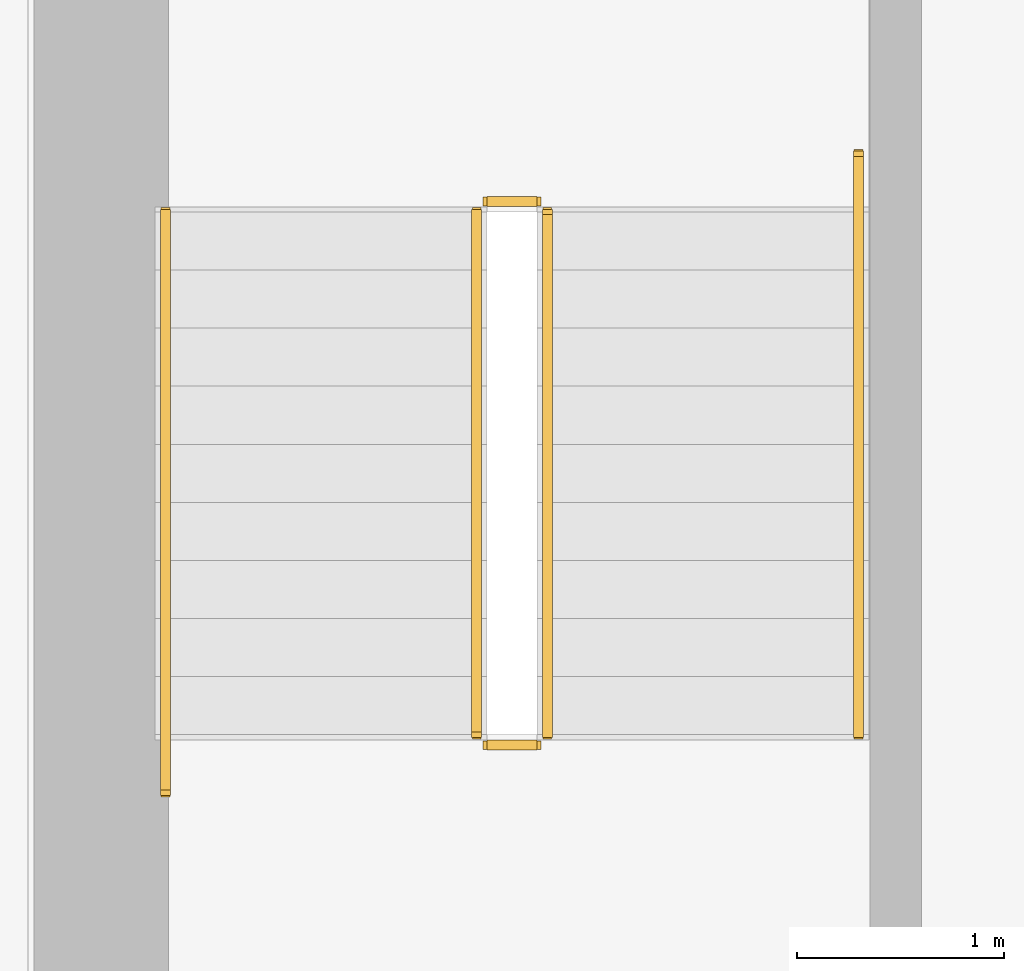
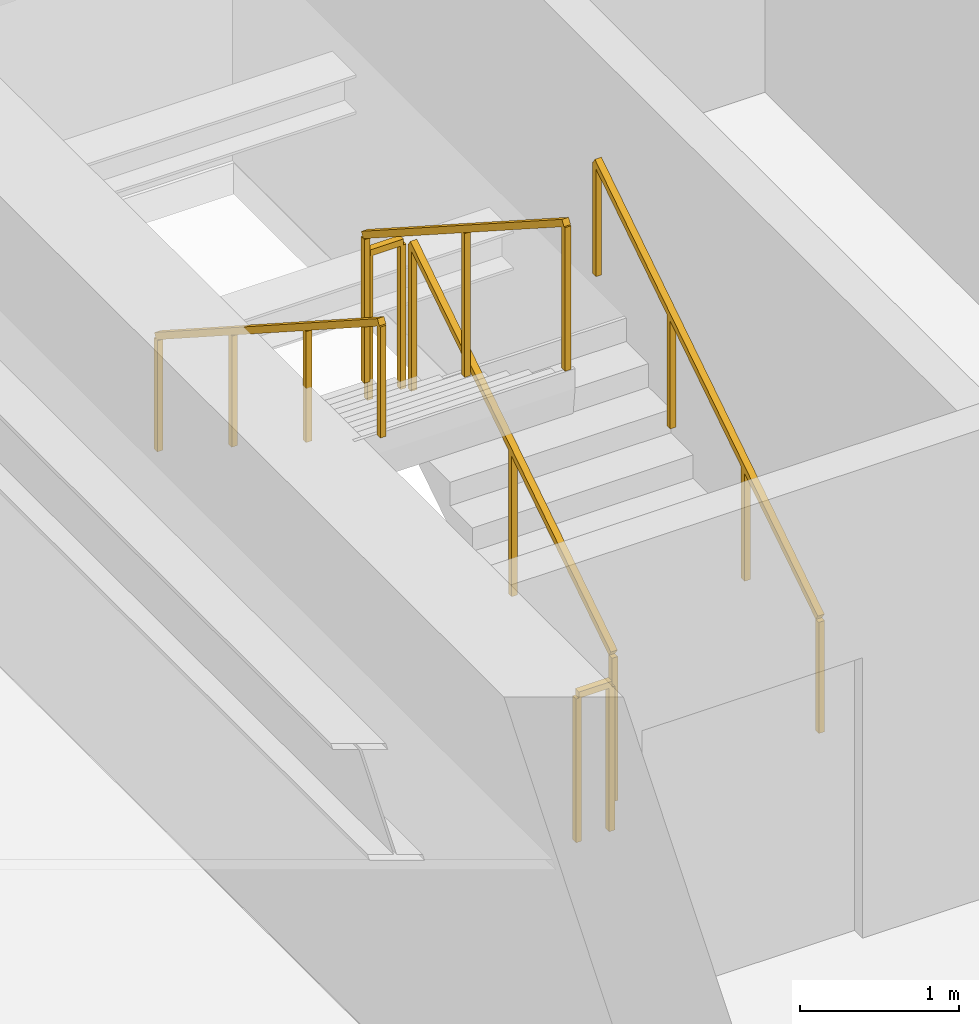
# One storey, part 34 of 37: 6 railings.
"""IFC4 building model written with IfcOpenShell, lengths in metres."""

from ifc_helpers import new_model, si_unit, direction, frame, origin, origin_2d, place, context, subcontext, project, spatial, rectangle, extrude, material, type_object, element, save


model = new_model("IFC4")

# Units and contexts
model_context = context("Model", 3, precision=1e-05, world=origin(), true_north=direction((0.0, 1.0)))
body_context = subcontext(model_context, "Body", "Model", "MODEL_VIEW")
ifc_project = project(units=[si_unit("LENGTHUNIT", "METRE"), si_unit("AREAUNIT", "SQUARE_METRE"), si_unit("VOLUMEUNIT", "CUBIC_METRE"), si_unit("PLANEANGLEUNIT", "RADIAN"), si_unit("MASSUNIT", "GRAM", prefix="KILO")], contexts=[model_context])

# Site, building, storey
site_placement = place(None, origin())
site = spatial("IfcSite", under=ifc_project, at=site_placement, CompositionType="ELEMENT")
building_placement = place(site_placement, origin())
building = spatial("IfcBuilding", under=site, at=building_placement, Name="Sumidabori Civic Tower", CompositionType="ELEMENT")
storey_placement = place(building_placement, frame((0.0, 0.0, 81.199951171875)))
storey = spatial("IfcBuildingStorey", under=building, at=storey_placement, Name="L20", CompositionType="ELEMENT", Elevation=81.199951171875)

# Railings
ifc_material_1 = material(Name="Stainless Steel Hairline Finish", Category="steel")
railing_type_1 = type_object("IfcRailingType", Name="RL-HANDRAIL", PredefinedType="HANDRAIL", material=ifc_material_1)
railing_1_placement = place(storey_placement, frame((-11.949951171875, 16.0, 0.179931640625)))
element("IfcRailing", 1, at=railing_1_placement, inside=storey, type_object=railing_type_1, Name="L20 ST-1 stair handrail 1", PredefinedType="HANDRAIL", context=body_context, shape_type="SweptSolid", body=[
    extrude(rectangle(XDim=0.048095703125, YDim=0.048095703125, at=origin_2d()), frame((0.0, 0.0, 0.8759765625), z_axis=(0.0, 0.84064222762, 0.54159084662), x_axis=(-1.0, 0.0, 0.0)), (0.0, 0.0, 1.0), 3.330810546875),
    extrude(rectangle(XDim=0.0419921875, YDim=0.0419921875, at=origin_2d()), origin(), (0.0, 0.0, 1.0), 0.851806640625),
    extrude(rectangle(XDim=0.0419921875, YDim=0.0419921875, at=origin_2d()), frame((0.0, 0.933349609375, 0.601318359375)), (0.0, 0.0, 1.0), 0.851806640625),
    extrude(rectangle(XDim=0.0419921875, YDim=0.0419921875, at=origin_2d()), frame((0.0, 1.86669921875, 1.20263671875)), (0.0, 0.0, 1.0), 0.851806640625),
    extrude(rectangle(XDim=0.0419921875, YDim=0.0419921875, at=origin_2d()), frame((0.0, 2.800048828125, 1.803955078125)), (0.0, 0.0, 1.0), 0.851806640625),
])
railing_2_placement = place(storey_placement, frame((-15.2900390625, 18.52001953125, 1.97998046875)))
element("IfcRailing", 2, at=railing_2_placement, inside=storey, type_object=railing_type_1, Name="L20 ST-1 stair handrail 2", PredefinedType="HANDRAIL", context=body_context, shape_type="SweptSolid", body=[
    extrude(rectangle(XDim=0.048095703125, YDim=0.048095703125, at=origin_2d()), frame((0.0, 0.0, 0.8759765625), z_axis=(0.0, -0.84064222762, 0.54159084662), x_axis=(1.0, 0.0, 0.0)), (0.0, 0.0, 1.0), 3.330810546875),
    extrude(rectangle(XDim=0.0419921875, YDim=0.0419921875, at=origin_2d()), origin(), (0.0, 0.0, 1.0), 0.851806640625),
    extrude(rectangle(XDim=0.0419921875, YDim=0.0419921875, at=origin_2d()), frame((0.0, -0.933349609375, 0.601318359375)), (0.0, 0.0, 1.0), 0.851806640625),
    extrude(rectangle(XDim=0.0419921875, YDim=0.0419921875, at=origin_2d()), frame((0.0, -1.86669921875, 1.20263671875)), (0.0, 0.0, 1.0), 0.851806640625),
    extrude(rectangle(XDim=0.0419921875, YDim=0.0419921875, at=origin_2d()), frame((0.0, -2.800048828125, 1.803955078125)), (0.0, 0.0, 1.0), 0.851806640625),
])
ifc_material_2 = material(Name="Steel SN490", Category="steel")
railing_type_2 = type_object("IfcRailingType", Name="RL-STAIR-GUARD", PredefinedType="GUARDRAIL", material=ifc_material_2)
railing_3_placement = place(storey_placement, frame((-13.449951171875, 16.0, 0.179931640625)))
element("IfcRailing", 3, at=railing_3_placement, inside=storey, type_object=railing_type_2, Name="L20 ST-1 stair guard 1", PredefinedType="GUARDRAIL", context=body_context, shape_type="SweptSolid", body=[
    extrude(rectangle(XDim=0.048095703125, YDim=0.048095703125, at=origin_2d()), frame((0.0, 0.0, 1.1259765625), z_axis=(0.0, 0.841162588446, 0.540782303519), x_axis=(-1.0, 0.0, 0.0)), (0.0, 0.0, 1.0), 2.995849609375),
    extrude(rectangle(XDim=0.0419921875, YDim=0.0419921875, at=origin_2d()), origin(), (0.0, 0.0, 1.0), 1.101806640625),
    extrude(rectangle(XDim=0.0419921875, YDim=0.0419921875, at=origin_2d()), frame((0.0, 1.260009765625, 0.81005859375)), (0.0, 0.0, 1.0), 1.101806640625),
    extrude(rectangle(XDim=0.0419921875, YDim=0.0419921875, at=origin_2d()), frame((0.0, 2.52001953125, 1.6201171875)), (0.0, 0.0, 1.0), 1.101806640625),
])
railing_4_placement = place(storey_placement, frame((-13.5, 18.570068359375, 1.800048828125)))
element("IfcRailing", 4, at=railing_4_placement, inside=storey, type_object=railing_type_2, Name="L20 ST-1 stair guard 2", PredefinedType="GUARDRAIL", context=body_context, shape_type="SweptSolid", body=[
    extrude(rectangle(XDim=0.048095703125, YDim=0.048095703125, at=origin_2d()), frame((0.0, 0.0, 1.1259765625), z_axis=(-1.0, 0.0, 0.0), x_axis=(0.0, -1.0, 0.0)), (0.0, 0.0, 1.0), 0.239990234375),
    extrude(rectangle(XDim=0.0419921875, YDim=0.0419921875, at=origin_2d()), origin(), (0.0, 0.0, 1.0), 1.101806640625),
    extrude(rectangle(XDim=0.0419921875, YDim=0.0419921875, at=origin_2d()), frame((-0.239990234375, 0.0, 0.0)), (0.0, 0.0, 1.0), 1.101806640625),
])
railing_5_placement = place(storey_placement, frame((-13.7900390625, 18.52001953125, 1.97998046875)))
element("IfcRailing", 5, at=railing_5_placement, inside=storey, type_object=railing_type_2, Name="L20 ST-1 stair guard 3", PredefinedType="GUARDRAIL", context=body_context, shape_type="SweptSolid", body=[
    extrude(rectangle(XDim=0.048095703125, YDim=0.048095703125, at=origin_2d()), frame((0.0, 0.0, 1.1259765625), z_axis=(0.0, -0.841162588446, 0.540782303519), x_axis=(1.0, 0.0, 0.0)), (0.0, 0.0, 1.0), 2.995849609375),
    extrude(rectangle(XDim=0.0419921875, YDim=0.0419921875, at=origin_2d()), origin(), (0.0, 0.0, 1.0), 1.101806640625),
    extrude(rectangle(XDim=0.0419921875, YDim=0.0419921875, at=origin_2d()), frame((0.0, -1.260009765625, 0.81005859375)), (0.0, 0.0, 1.0), 1.101806640625),
    extrude(rectangle(XDim=0.0419921875, YDim=0.0419921875, at=origin_2d()), frame((0.0, -2.52001953125, 1.6201171875)), (0.0, 0.0, 1.0), 1.101806640625),
])
railing_6_placement = place(storey_placement, frame((-13.5, 15.949951171875, 0.0)))
element("IfcRailing", 6, at=railing_6_placement, inside=storey, type_object=railing_type_2, Name="L20 ST-1 stair guard 4", PredefinedType="GUARDRAIL", context=body_context, shape_type="SweptSolid", body=[
    extrude(rectangle(XDim=0.048095703125, YDim=0.048095703125, at=origin_2d()), frame((0.0, 0.0, 1.1259765625), z_axis=(-1.0, 0.0, 0.0), x_axis=(0.0, -1.0, 0.0)), (0.0, 0.0, 1.0), 0.239990234375),
    extrude(rectangle(XDim=0.0419921875, YDim=0.0419921875, at=origin_2d()), origin(), (0.0, 0.0, 1.0), 1.101806640625),
    extrude(rectangle(XDim=0.0419921875, YDim=0.0419921875, at=origin_2d()), frame((-0.239990234375, 0.0, 0.0)), (0.0, 0.0, 1.0), 1.101806640625),
])

save(model, "model.ifc")
